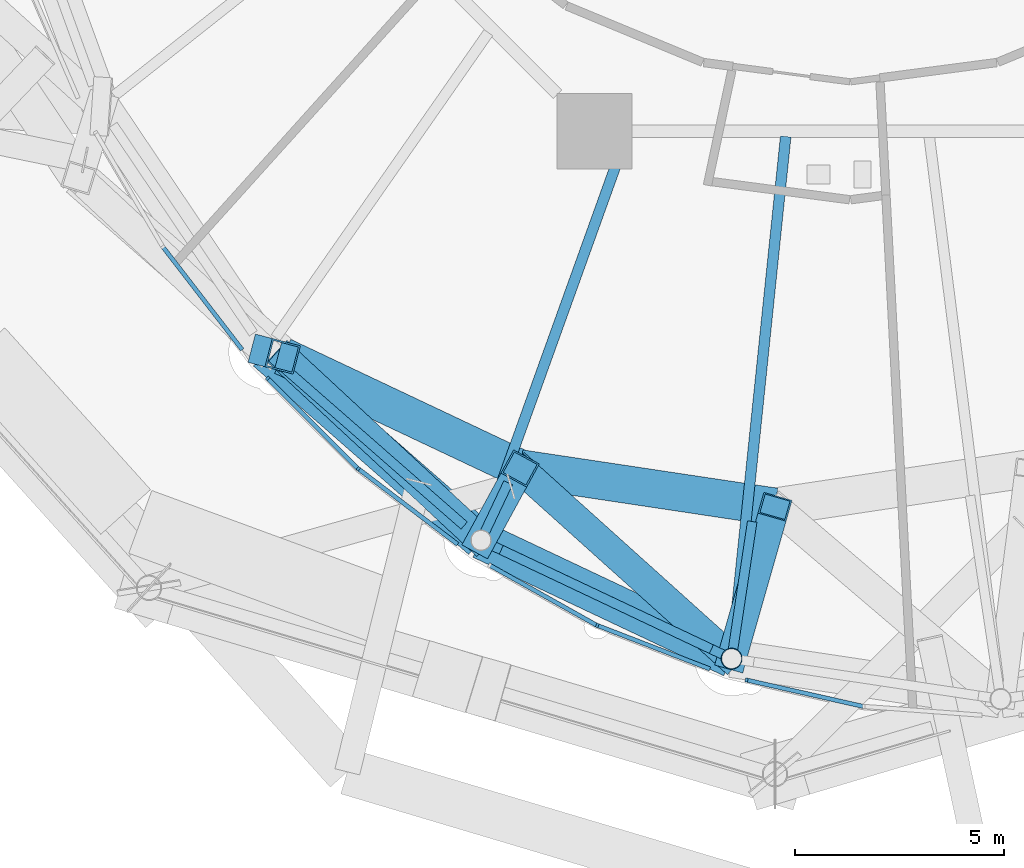
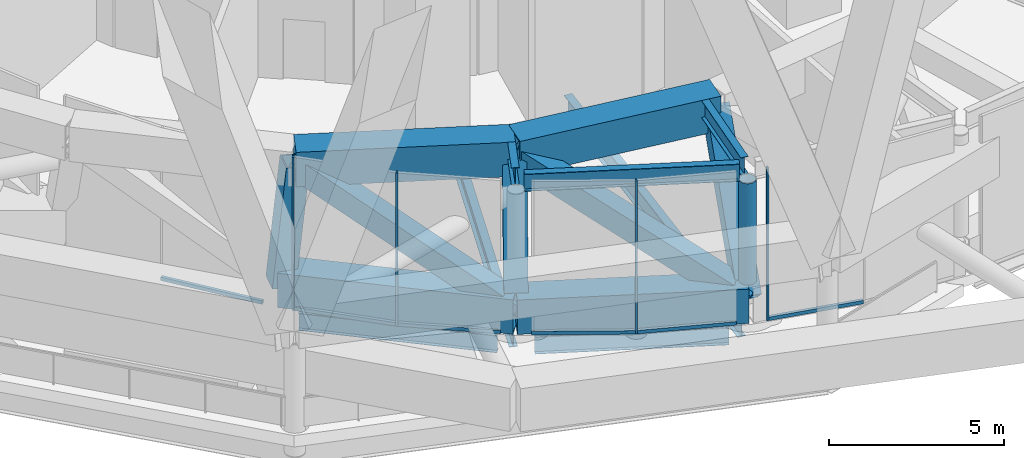
# One storey, part 7 of 60: 16 beams, 11 members, 6 elements without a shape of their own.
"""IFC4 building model written with IfcOpenShell, lengths in metres."""

from ifc_helpers import new_model, si_unit, direction, frame, origin, origin_2d, place, context, subcontext, project, spatial, rectangle, hollow_rectangle, hollow_circle, i_section, extrude, material, layer, layer_set, material_profile, profile_set, type_object, element, aggregate, save


model = new_model("IFC4")

# Units and contexts
model_context = context("Model", 3, precision=1e-05, world=origin(), true_north=direction((0.0, 1.0)))
body_context = subcontext(model_context, "Body", "Model", "MODEL_VIEW")
ifc_project = project(units=[si_unit("LENGTHUNIT", "METRE"), si_unit("AREAUNIT", "SQUARE_METRE"), si_unit("VOLUMEUNIT", "CUBIC_METRE"), si_unit("PLANEANGLEUNIT", "RADIAN"), si_unit("MASSUNIT", "GRAM", prefix="KILO")], contexts=[model_context])

# Site, building, storey
site_placement = place(None, origin())
site = spatial("IfcSite", under=ifc_project, at=site_placement, CompositionType="ELEMENT")
building_placement = place(site_placement, origin())
building = spatial("IfcBuilding", under=site, at=building_placement, Name="Nagisa Residences", CompositionType="ELEMENT")
storey_placement = place(building_placement, frame((0.0, 0.0, 206.60009765625)))
storey = spatial("IfcBuildingStorey", under=building, at=storey_placement, Name="L52", CompositionType="ELEMENT", Elevation=206.60009765625)

# Beams
ifc_material_1 = material(Name="Steel ASTM A572 Gr 50", Category="steel")
ifc_material_profile_1 = material_profile(ifc_material_1, hollow_rectangle(XDim=0.89990234375, YDim=1.199951171875, WallThickness=0.044921875, at=origin_2d()), Name="BX 900x1200x45")
ifc_profile_set_1 = profile_set([ifc_material_profile_1], Name="Steel ASTM A572 Gr 50")
beam_type_1 = type_object("IfcBeamType", Name="Belt chord 4 BX 900x1200x45", PredefinedType="BEAM", material=ifc_profile_set_1)
beam_1_placement = place(storey_placement, frame((-13.9892578125, -20.064208984375, 0.599853515625), z_axis=(0.75247507353, -0.658620728277, 0.0), x_axis=(0.658620728277, 0.75247507353, 0.0)))
element("IfcBeam", 1, at=beam_1_placement, inside=storey, type_object=beam_type_1, Name="beam:L52:bt4b16", PredefinedType="BEAM", context=body_context, shape_type="SweptSolid", body=[
    extrude(hollow_rectangle(XDim=0.89990234375, YDim=1.199951171875, WallThickness=0.044921875, at=origin_2d()), origin(), (0.0, 0.0, 1.0), 6.846435546875),
])
beam_2_placement = place(storey_placement, frame((-8.83740234375, -24.573486328125, 0.599853515625), z_axis=(0.90414798846, -0.427219399097, 0.0), x_axis=(0.427219399097, 0.90414798846, 0.0)))
element("IfcBeam", 2, at=beam_2_placement, inside=storey, type_object=beam_type_1, Name="beam:L52:bt4b17", PredefinedType="BEAM", context=body_context, shape_type="SweptSolid", body=[
    extrude(hollow_rectangle(XDim=0.89990234375, YDim=1.199951171875, WallThickness=0.044921875, at=origin_2d()), origin(), (0.0, 0.0, 1.0), 6.63525390625),
])
beam_3_placement = place(storey_placement, frame((-13.5849609375, -20.169677734375, 4.739990234375), z_axis=(0.904131998692, -0.427253237485, 0.0), x_axis=(0.427253237485, 0.904131998692, 0.0)))
element("IfcBeam", 3, at=beam_3_placement, inside=storey, type_object=beam_type_1, Name="beam:L52:bt4t17", PredefinedType="BEAM", context=body_context, shape_type="SweptSolid", body=[
    extrude(hollow_rectangle(XDim=0.89990234375, YDim=1.199951171875, WallThickness=0.044921875, at=origin_2d()), origin(), (0.0, 0.0, 1.0), 6.287353515625),
])
beam_4_placement = place(storey_placement, frame((-7.900390625, -22.85595703125, 4.739990234375), z_axis=(0.988907595105, -0.14853204484, 0.0), x_axis=(0.14853204484, 0.988907595105, 0.0)))
element("IfcBeam", 4, at=beam_4_placement, inside=storey, type_object=beam_type_1, Name="beam:L52:bt4t18", PredefinedType="BEAM", context=body_context, shape_type="SweptSolid", body=[
    extrude(hollow_rectangle(XDim=0.89990234375, YDim=1.199951171875, WallThickness=0.044921875, at=origin_2d()), origin(), (0.0, 0.0, 1.0), 6.168701171875),
])
ifc_material_2 = material(Name="Steel ASTM A572 Gr 50", Category="steel")
ifc_material_profile_2 = material_profile(ifc_material_2, hollow_rectangle(XDim=0.699951171875, YDim=0.699951171875, WallThickness=0.0400390625, at=origin_2d()), Name="BX 700x700x40")
ifc_profile_set_2 = profile_set([ifc_material_profile_2], Name="Steel ASTM A572 Gr 50")
beam_type_2 = type_object("IfcBeamType", Name="Belt diagonal 4 BX 700x700x40", PredefinedType="BEAM", material=ifc_profile_set_2)
beam_5_placement = place(storey_placement, frame((-13.9892578125, -20.064208984375, 0.599853515625), z_axis=(0.097159490321, -0.025345953997, 0.994946036756), x_axis=(0.252421897147, 0.967617272397, 0.0)))
element("IfcBeam", 5, at=beam_5_placement, inside=storey, type_object=beam_type_2, Name="beam:L52:bt4db16", PredefinedType="BEAM", context=body_context, shape_type="SweptSolid", body=[
    extrude(hollow_rectangle(XDim=0.699951171875, YDim=0.699951171875, WallThickness=0.0400390625, at=origin_2d()), origin(), (0.0, 0.0, 1.0), 4.1611328125),
])
beam_6_placement = place(storey_placement, frame((-8.83740234375, -24.573486328125, 0.599853515625), z_axis=(-0.617694461312, 0.572969900913, 0.538664130152), x_axis=(-0.680066343245, -0.733150577156, 0.0)))
element("IfcBeam", 6, at=beam_6_placement, inside=storey, type_object=beam_type_2, Name="beam:L52:bt4da17", PredefinedType="BEAM", context=body_context, shape_type="SweptSolid", body=[
    extrude(hollow_rectangle(XDim=0.699951171875, YDim=0.699951171875, WallThickness=0.0400390625, at=origin_2d()), origin(), (0.0, 0.0, 1.0), 7.68603515625),
])
beam_7_placement = place(storey_placement, frame((-8.83740234375, -24.573486328125, 0.599853515625), z_axis=(0.204625613861, 0.37507587116, 0.90412745176), x_axis=(-0.87785741952, 0.478922071943, 0.0)))
element("IfcBeam", 7, at=beam_7_placement, inside=storey, type_object=beam_type_2, Name="beam:L52:bt4db17", PredefinedType="BEAM", context=body_context, shape_type="SweptSolid", body=[
    extrude(hollow_rectangle(XDim=0.699951171875, YDim=0.699951171875, WallThickness=0.0400390625, at=origin_2d()), origin(), (0.0, 0.0, 1.0), 4.5791015625),
])
beam_8_placement = place(storey_placement, frame((-2.838134765625, -27.408203125, 0.599853515625), z_axis=(-0.635317837218, 0.571311135412, 0.519591024044), x_axis=(-0.668657580609, -0.743570467335, 0.0)))
element("IfcBeam", 8, at=beam_8_placement, inside=storey, type_object=beam_type_2, Name="beam:L52:bt4da18", PredefinedType="BEAM", context=body_context, shape_type="SweptSolid", body=[
    extrude(hollow_rectangle(XDim=0.699951171875, YDim=0.699951171875, WallThickness=0.0400390625, at=origin_2d()), origin(), (0.0, 0.0, 1.0), 7.968017578125),
])
beam_9_placement = place(storey_placement, frame((-2.838134765625, -27.408203125, 0.599853515625), z_axis=(0.185140173155, 0.64846956698, 0.738383597451), x_axis=(-0.961577531083, 0.274533516562, 0.0)))
element("IfcBeam", 9, at=beam_9_placement, inside=storey, type_object=beam_type_2, Name="beam:L52:bt4db18", PredefinedType="BEAM", context=body_context, shape_type="SweptSolid", body=[
    extrude(hollow_rectangle(XDim=0.699951171875, YDim=0.699951171875, WallThickness=0.0400390625, at=origin_2d()), origin(), (0.0, 0.0, 1.0), 5.60693359375),
])

# Curtain wall, member
ifc_material_3 = material(Name="Aluminium curtain wall system", Category="aluminium")
ifc_layer = layer(ifc_material_3, 0.159912109375)
ifc_layer_set = layer_set([ifc_layer], Name="CW5 CURTAIN WALL")
curtain_wall_type = type_object("IfcCurtainWallType", Name="CW5 CURTAIN WALL", PredefinedType="NOTDEFINED", material=ifc_layer_set)
curtain_wall_1_placement = place(storey_placement, origin())
curtain_wall_1 = element("IfcCurtainWall", 10, at=curtain_wall_1_placement, inside=storey, type_object=curtain_wall_type, Name="cw:CW5:L52:30", PredefinedType="NOTDEFINED")
ifc_material_4 = material(Name="Aluminium", Category="aluminium")
ifc_material_profile_3 = material_profile(ifc_material_4, rectangle(XDim=0.10009765625, YDim=0.06005859375, at=origin_2d()), Name="CW5 MULLION 100x60")
ifc_profile_set_3 = profile_set([ifc_material_profile_3], Name="Aluminium")
member_type_1 = type_object("IfcMemberType", Name="CW5 MULLION 100x60", PredefinedType="MULLION", material=ifc_profile_set_3)
member_1_placement = place(storey_placement, frame((-13.946533203125, -20.7001953125, 0.0), z_axis=(0.0, 0.0, 1.0), x_axis=(0.706376885714, 0.707835924016, 0.0)))
member_1 = element("IfcMember", 11, at=member_1_placement, type_object=member_type_1, Name="CW5 mullion", PredefinedType="MULLION", context=body_context, shape_type="SweptSolid", body=[
    extrude(rectangle(XDim=0.10009765625, YDim=0.06005859375, at=origin_2d()), origin(), (0.0, 0.0, 1.0), 5.33984375),
])

curtain_wall_2_placement = place(storey_placement, origin())
curtain_wall_2 = element("IfcCurtainWall", 12, at=curtain_wall_2_placement, inside=storey, type_object=curtain_wall_type, Name="cw:CW5:L52:31", PredefinedType="NOTDEFINED")
member_2_placement = place(storey_placement, frame((-11.77490234375, -22.862548828125, 0.0), z_axis=(0.0, 0.0, 1.0), x_axis=(0.605255421737, 0.79603132756, 0.0)))
member_2 = element("IfcMember", 13, at=member_2_placement, type_object=member_type_1, Name="CW5 mullion", PredefinedType="MULLION", context=body_context, shape_type="SweptSolid", body=[
    extrude(rectangle(XDim=0.10009765625, YDim=0.06005859375, at=origin_2d()), origin(), (0.0, 0.0, 1.0), 5.33984375),
])

curtain_wall_3_placement = place(storey_placement, origin())
curtain_wall_3 = element("IfcCurtainWall", 14, at=curtain_wall_3_placement, inside=storey, type_object=curtain_wall_type, Name="cw:CW5:L52:33", PredefinedType="NOTDEFINED")
member_3_placement = place(storey_placement, frame((-6.0537109375, -26.61328125, 0.0), z_axis=(0.0, 0.0, 1.0), x_axis=(0.360327770268, 0.932825759707, 0.0)))
member_3 = element("IfcMember", 15, at=member_3_placement, type_object=member_type_1, Name="CW5 mullion", PredefinedType="MULLION", context=body_context, shape_type="SweptSolid", body=[
    extrude(rectangle(XDim=0.10009765625, YDim=0.06005859375, at=origin_2d()), origin(), (0.0, 0.0, 1.0), 5.33984375),
])

curtain_wall_4_placement = place(storey_placement, origin())
curtain_wall_4 = element("IfcCurtainWall", 16, at=curtain_wall_4_placement, inside=storey, type_object=curtain_wall_type, Name="cw:CW5:L52:34", PredefinedType="NOTDEFINED")
member_4_placement = place(storey_placement, frame((-2.481689453125, -27.9189453125, 0.0), z_axis=(0.0, 0.0, 1.0), x_axis=(0.2207639201, 0.975327274089, 0.0)))
member_4 = element("IfcMember", 17, at=member_4_placement, type_object=member_type_1, Name="CW5 mullion", PredefinedType="MULLION", context=body_context, shape_type="SweptSolid", body=[
    extrude(rectangle(XDim=0.10009765625, YDim=0.06005859375, at=origin_2d()), origin(), (0.0, 0.0, 1.0), 5.33984375),
])

curtain_wall_5_placement = place(storey_placement, origin())
curtain_wall_5 = element("IfcCurtainWall", 18, at=curtain_wall_5_placement, inside=storey, type_object=curtain_wall_type, Name="cw:CW5:L52:29", PredefinedType="NOTDEFINED")
ifc_material_5 = material(Name="Aluminium", Category="aluminium")
ifc_material_profile_4 = material_profile(ifc_material_5, rectangle(XDim=0.10009765625, YDim=0.1201171875, at=origin_2d()), Name="CW5 TRANSOM 100x120")
ifc_profile_set_4 = profile_set([ifc_material_profile_4], Name="Aluminium")
member_type_2 = type_object("IfcMemberType", Name="CW5 TRANSOM 100x120", PredefinedType="USERDEFINED", material=ifc_profile_set_4)
member_5_placement = place(storey_placement, frame((-16.468017578125, -17.529052734375, 0.059814453125), z_axis=(0.610414235322, -0.79208235766, 0.0), x_axis=(0.79208235766, 0.610414235322, 0.0)))
member_5 = element("IfcMember", 19, at=member_5_placement, type_object=member_type_2, Name="CW5 transom", ObjectType="TRANSOM", PredefinedType="USERDEFINED", context=body_context, shape_type="SweptSolid", body=[
    extrude(rectangle(XDim=0.10009765625, YDim=0.1201171875, at=origin_2d()), origin(), (0.0, 0.0, 1.0), 3.13525390625),
])
aggregate(curtain_wall_5, [member_5])

# Member
member_6_placement = place(storey_placement, frame((-13.9677734375, -20.678955078125, 0.059814453125), z_axis=(0.707820829563, -0.706392011022, 0.0), x_axis=(0.706392011022, 0.707820829563, 0.0)))
member_6 = element("IfcMember", 20, at=member_6_placement, type_object=member_type_2, Name="CW5 transom", ObjectType="TRANSOM", PredefinedType="USERDEFINED", context=body_context, shape_type="SweptSolid", body=[
    extrude(rectangle(XDim=0.10009765625, YDim=0.1201171875, at=origin_2d()), origin(), (0.0, 0.0, 1.0), 3.07568359375),
])

aggregate(curtain_wall_1, [member_1, member_6])

member_7_placement = place(storey_placement, frame((-11.798828125, -22.844482421875, 0.059814453125), z_axis=(0.79604990445, -0.605230988653, 0.0), x_axis=(0.605230988653, 0.79604990445, 0.0)))
member_7 = element("IfcMember", 21, at=member_7_placement, type_object=member_type_2, Name="CW5 transom", ObjectType="TRANSOM", PredefinedType="USERDEFINED", context=body_context, shape_type="SweptSolid", body=[
    extrude(rectangle(XDim=0.10009765625, YDim=0.1201171875, at=origin_2d()), origin(), (0.0, 0.0, 1.0), 3.016845703125),
])

aggregate(curtain_wall_2, [member_2, member_7])

# Curtain wall, member
curtain_wall_6_placement = place(storey_placement, origin())
curtain_wall_6 = element("IfcCurtainWall", 22, at=curtain_wall_6_placement, inside=storey, type_object=curtain_wall_type, Name="cw:CW5:L52:32", PredefinedType="NOTDEFINED")
member_8_placement = place(storey_placement, frame((-8.656005859375, -25.156982421875, 0.059814453125), z_axis=(0.872089879438, -0.489345728685, 0.0), x_axis=(0.489345728685, 0.872089879438, 0.0)))
member_8 = element("IfcMember", 23, at=member_8_placement, type_object=member_type_2, Name="CW5 transom", ObjectType="TRANSOM", PredefinedType="USERDEFINED", context=body_context, shape_type="SweptSolid", body=[
    extrude(rectangle(XDim=0.10009765625, YDim=0.1201171875, at=origin_2d()), origin(), (0.0, 0.0, 1.0), 2.963623046875),
])
aggregate(curtain_wall_6, [member_8])

# Member
member_9_placement = place(storey_placement, frame((-6.081787109375, -26.602294921875, 0.059814453125), z_axis=(0.932823050178, -0.36033478469, 0.0), x_axis=(0.36033478469, 0.932823050178, 0.0)))
member_9 = element("IfcMember", 24, at=member_9_placement, type_object=member_type_2, Name="CW5 transom", ObjectType="TRANSOM", PredefinedType="USERDEFINED", context=body_context, shape_type="SweptSolid", body=[
    extrude(rectangle(XDim=0.10009765625, YDim=0.1201171875, at=origin_2d()), origin(), (0.0, 0.0, 1.0), 2.91943359375),
])

aggregate(curtain_wall_3, [member_3, member_9])

member_10_placement = place(storey_placement, frame((-2.510986328125, -27.912353515625, 0.059814453125), z_axis=(0.975316047174, -0.220813514364, 0.0), x_axis=(0.220813514364, 0.975316047174, 0.0)))
member_10 = element("IfcMember", 25, at=member_10_placement, type_object=member_type_2, Name="CW5 transom", ObjectType="TRANSOM", PredefinedType="USERDEFINED", context=body_context, shape_type="SweptSolid", body=[
    extrude(rectangle(XDim=0.10009765625, YDim=0.1201171875, at=origin_2d()), origin(), (0.0, 0.0, 1.0), 2.887939453125),
])

aggregate(curtain_wall_4, [member_4, member_10])

# Beam
ifc_material_6 = material(Name="Steel ASTM A572 Gr 50", Category="steel")
ifc_material_profile_5 = material_profile(ifc_material_6, i_section(OverallWidth=0.22802734375, OverallDepth=0.60302734375, WebThickness=0.010498046875, FlangeThickness=0.014892578125, at=origin_2d()), Name="W610x101")
ifc_profile_set_5 = profile_set([ifc_material_profile_5], Name="Steel ASTM A572 Gr 50")
beam_type_3 = type_object("IfcBeamType", Name="Garden edge beam W610x101", PredefinedType="BEAM", material=ifc_profile_set_5)
beam_10_placement = place(storey_placement, frame((-8.6259765625, -24.67333984375, 5.038330078125), z_axis=(0.90415011909, -0.427214889896, 0.0), x_axis=(0.427214889896, 0.90415011909, 0.0)))
element("IfcBeam", 26, at=beam_10_placement, inside=storey, type_object=beam_type_3, Name="beam:L52:bt4ge17", PredefinedType="BEAM", context=body_context, shape_type="SweptSolid", body=[
    extrude(i_section(OverallWidth=0.22802734375, OverallDepth=0.60302734375, WebThickness=0.010498046875, FlangeThickness=0.014892578125, at=origin_2d()), origin(), (0.0, 0.0, 1.0), 6.167236328125),
])

# Member
ifc_material_7 = material(Name="Steel ASTM A572 Gr 65", Category="steel")
ifc_material_profile_6 = material_profile(ifc_material_7, hollow_circle(Radius=0.25390625, WallThickness=0.02001953125, at=origin_2d()), Name="CHS 508x20")
ifc_profile_set_6 = profile_set([ifc_material_profile_6], Name="Steel ASTM A572 Gr 65")
member_type_3 = type_object("IfcMemberType", Name="Garden edge post CHS 508x20", PredefinedType="POST", material=ifc_profile_set_6)
member_11_placement = place(storey_placement, frame((-2.838134765625, -27.408203125, 1.199951171875), z_axis=(0.0, 0.0, 1.0), x_axis=(1.0, 0.0, 0.0)))
element("IfcMember", 27, at=member_11_placement, inside=storey, type_object=member_type_3, Name="mem:L52:gp418", PredefinedType="POST", context=body_context, shape_type="SweptSolid", body=[
    extrude(hollow_circle(Radius=0.25390625, WallThickness=0.02001953125, at=origin_2d()), origin(), (0.0, 0.0, 1.0), 3.536865234375),
])

# Beams
ifc_material_8 = material(Name="Steel ASTM A572 Gr 50", Category="steel")
ifc_material_profile_7 = material_profile(ifc_material_8, i_section(OverallWidth=0.22802734375, OverallDepth=0.60302734375, WebThickness=0.010498046875, FlangeThickness=0.014892578125, at=origin_2d()), Name="W610x101")
ifc_profile_set_7 = profile_set([ifc_material_profile_7], Name="Steel ASTM A572 Gr 50")
beam_type_4 = type_object("IfcBeamType", Name="Garden radial beam W610x101", PredefinedType="BEAM", material=ifc_profile_set_7)
beam_11_placement = place(storey_placement, frame((-8.737548828125, -24.36181640625, 5.038330078125), z_axis=(0.427255777393, 0.904130798438, 0.0), x_axis=(-0.904130798438, 0.427255777393, 0.0)))
element("IfcBeam", 28, at=beam_11_placement, inside=storey, type_object=beam_type_4, Name="beam:L52:bt4gr17", PredefinedType="BEAM", context=body_context, shape_type="SweptSolid", body=[
    extrude(i_section(OverallWidth=0.22802734375, OverallDepth=0.60302734375, WebThickness=0.010498046875, FlangeThickness=0.014892578125, at=origin_2d()), origin(), (0.0, 0.0, 1.0), 1.2890625),
])
beam_12_placement = place(storey_placement, frame((-2.803466796875, -27.1767578125, 5.038330078125), z_axis=(0.148584186985, 0.988899762048, 0.0), x_axis=(-0.988899762048, 0.148584186985, 0.0)))
element("IfcBeam", 29, at=beam_12_placement, inside=storey, type_object=beam_type_4, Name="beam:L52:bt4gr18", PredefinedType="BEAM", context=body_context, shape_type="SweptSolid", body=[
    extrude(i_section(OverallWidth=0.22802734375, OverallDepth=0.60302734375, WebThickness=0.010498046875, FlangeThickness=0.014892578125, at=origin_2d()), origin(), (0.0, 0.0, 1.0), 3.085693359375),
])
ifc_material_9 = material(Name="Steel ASTM A572 Gr 50", Category="steel")
ifc_material_profile_8 = material_profile(ifc_material_9, i_section(OverallWidth=0.22802734375, OverallDepth=0.60302734375, WebThickness=0.010498046875, FlangeThickness=0.014892578125, at=origin_2d()), Name="W610x101")
ifc_profile_set_8 = profile_set([ifc_material_profile_8], Name="Steel ASTM A572 Gr 50")
beam_type_5 = type_object("IfcBeamType", Name="Perimeter ring beam W610x101", PredefinedType="BEAM", material=ifc_profile_set_8)
beam_13_placement = place(storey_placement, frame((-13.5869140625, -20.416259765625, -0.651611328125), z_axis=(0.752461486776, -0.658636250838, 0.0), x_axis=(0.658636250838, 0.752461486776, 0.0)))
element("IfcBeam", 30, at=beam_13_placement, inside=storey, type_object=beam_type_5, Name="beam:L52:pb16", PredefinedType="BEAM", context=body_context, shape_type="SweptSolid", body=[
    extrude(i_section(OverallWidth=0.22802734375, OverallDepth=0.60302734375, WebThickness=0.010498046875, FlangeThickness=0.014892578125, at=origin_2d()), origin(), (0.0, 0.0, 1.0), 5.776611328125),
])
beam_14_placement = place(storey_placement, frame((-8.353515625, -24.80224609375, -0.651611328125), z_axis=(0.904157325884, -0.427199637232, 0.0), x_axis=(0.427199637232, 0.904157325884, 0.0)))
element("IfcBeam", 31, at=beam_14_placement, inside=storey, type_object=beam_type_5, Name="beam:L52:pb17", PredefinedType="BEAM", context=body_context, shape_type="SweptSolid", body=[
    extrude(i_section(OverallWidth=0.22802734375, OverallDepth=0.60302734375, WebThickness=0.010498046875, FlangeThickness=0.014892578125, at=origin_2d()), origin(), (0.0, 0.0, 1.0), 5.56396484375),
])
ifc_material_10 = material(Name="Steel ASTM A572 Gr 50", Category="steel")
ifc_material_profile_9 = material_profile(ifc_material_10, i_section(OverallWidth=0.25390625, OverallDepth=0.68408203125, WebThickness=0.012451171875, FlangeThickness=0.018798828125, at=origin_2d()), Name="W690x140")
ifc_profile_set_9 = profile_set([ifc_material_profile_9], Name="Steel ASTM A572 Gr 50")
beam_type_6 = type_object("IfcBeamType", Name="Radial beam W690x140", PredefinedType="BEAM", material=ifc_profile_set_9)
beam_15_placement = place(storey_placement, frame((-8.6962890625, -24.180908203125, -0.692138671875), z_axis=(0.338418499513, 0.940995706253, 0.0), x_axis=(-0.940995706253, 0.338418499513, 0.0)))
element("IfcBeam", 32, at=beam_15_placement, inside=storey, type_object=beam_type_6, Name="beam:L52:rb17", PredefinedType="BEAM", context=body_context, shape_type="SweptSolid", body=[
    extrude(i_section(OverallWidth=0.25390625, OverallDepth=0.68408203125, WebThickness=0.012451171875, FlangeThickness=0.018798828125, at=origin_2d()), origin(), (0.0, 0.0, 1.0), 9.85302734375),
])
beam_16_placement = place(storey_placement, frame((-2.795654296875, -26.997314453125, -0.692138671875), z_axis=(0.103009490755, 0.994680373192, 0.0), x_axis=(-0.994680373192, 0.103009490755, 0.0)))
element("IfcBeam", 33, at=beam_16_placement, inside=storey, type_object=beam_type_6, Name="beam:L52:rb18", PredefinedType="BEAM", context=body_context, shape_type="SweptSolid", body=[
    extrude(i_section(OverallWidth=0.25390625, OverallDepth=0.68408203125, WebThickness=0.012451171875, FlangeThickness=0.018798828125, at=origin_2d()), origin(), (0.0, 0.0, 1.0), 12.15380859375),
])

save(model, "model.ifc")
